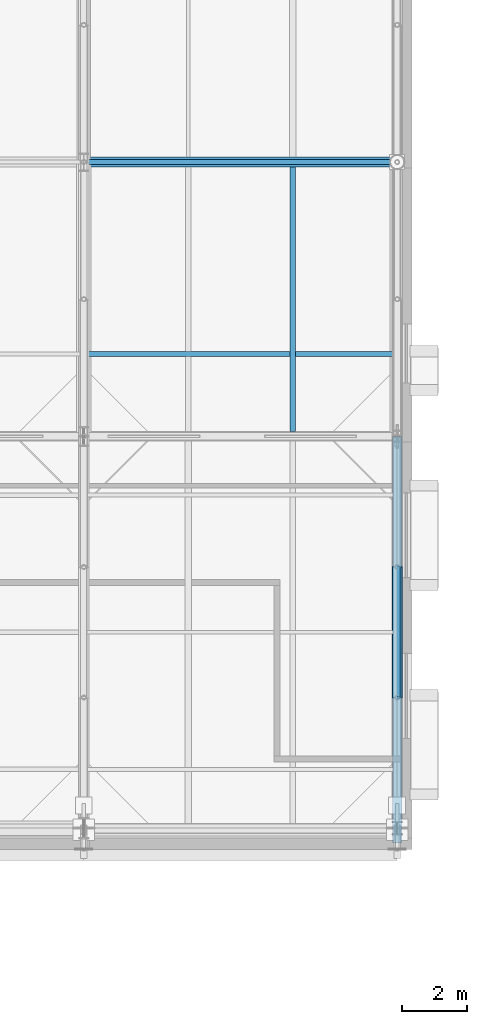
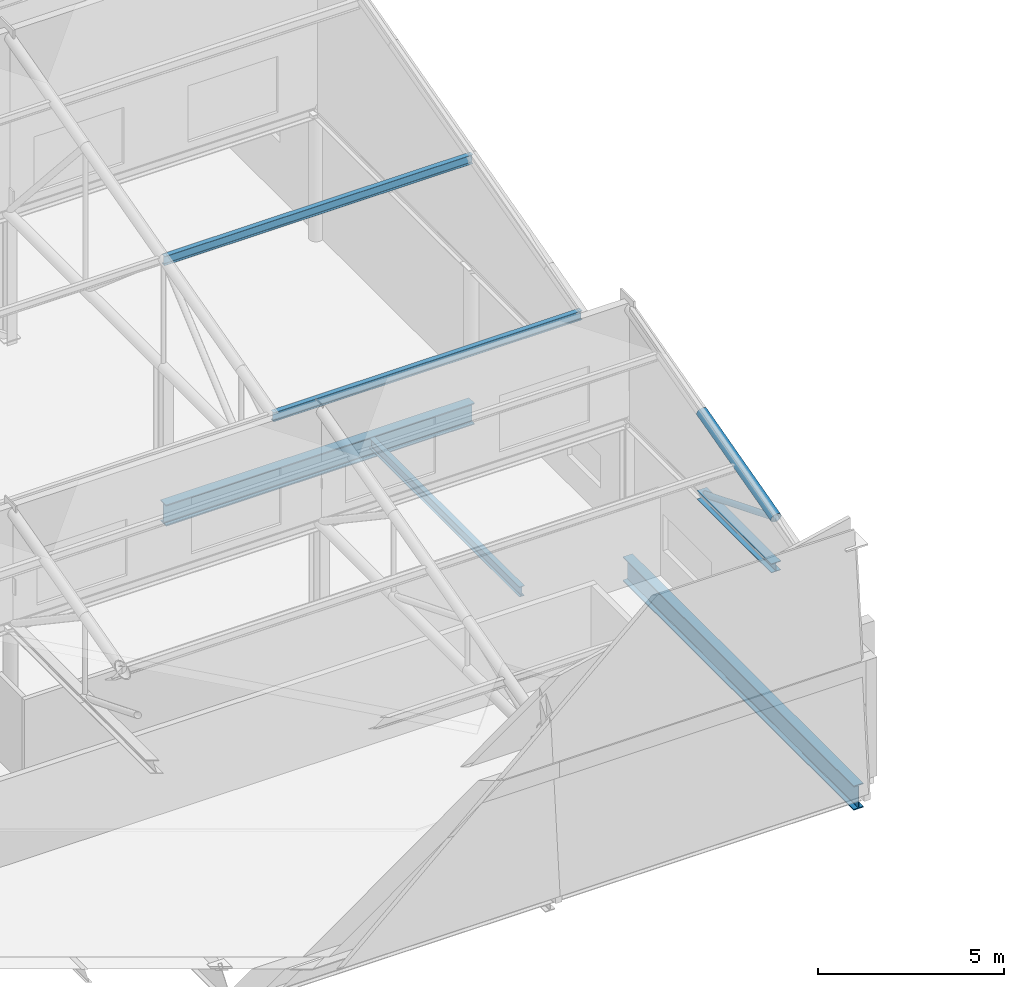
# One storey, part 49 of 89: 5 members, 3 beams.
"""IFC4 building model written with IfcOpenShell, lengths in metres."""

from ifc_helpers import new_model, si_unit, direction, frame, origin, origin_2d, place, context, subcontext, project, spatial, hollow_circle, i_section, extrude, material, material_profile, profile_set, type_object, element, save


model = new_model("IFC4")

# Units and contexts
model_context = context("Model", 3, precision=1e-05, world=origin(), true_north=direction((0.0, 1.0)))
body_context = subcontext(model_context, "Body", "Model", "MODEL_VIEW")
ifc_project = project(units=[si_unit("LENGTHUNIT", "METRE"), si_unit("AREAUNIT", "SQUARE_METRE"), si_unit("VOLUMEUNIT", "CUBIC_METRE"), si_unit("PLANEANGLEUNIT", "RADIAN"), si_unit("MASSUNIT", "GRAM", prefix="KILO")], contexts=[model_context])

# Site, building, storey
site_placement = place(None, origin())
site = spatial("IfcSite", under=ifc_project, at=site_placement, CompositionType="ELEMENT")
building_placement = place(site_placement, origin())
building = spatial("IfcBuilding", under=site, at=building_placement, Name="Zereglee Splitstone Museum", CompositionType="ELEMENT")
storey_placement = place(building_placement, frame((0.0, 0.0, 21.300048828125)))
storey = spatial("IfcBuildingStorey", under=building, at=storey_placement, Name="L04", CompositionType="ELEMENT", Elevation=21.300048828125)

# Members
ifc_material_1 = material(Name="Steel S355J2H", Category="steel")
ifc_material_profile_1 = material_profile(ifc_material_1, hollow_circle(Radius=0.096923828125, WallThickness=0.010009765625, at=origin_2d()), Name="CHS 193.7x10")
ifc_profile_set_1 = profile_set([ifc_material_profile_1], Name="Steel S355J2H")
member_type_1 = type_object("IfcMemberType", Name="TB-04", PredefinedType="BRACE", material=ifc_profile_set_1)
member_1_placement = place(storey_placement, frame((145.199951171875, 17.60009765625, 4.199951171875), z_axis=(0.0, -0.927136001435, 0.374725012299), x_axis=(1.0, 0.0, 0.0)))
element("IfcMember", 1, at=member_1_placement, inside=storey, type_object=member_type_1, Name="Roof Truss ST-08 Diagonal 1.2", PredefinedType="BRACE", context=body_context, shape_type="SweptSolid", body=[
    extrude(hollow_circle(Radius=0.096923828125, WallThickness=0.010009765625, at=origin_2d()), origin(), (0.0, 0.0, 1.0), 4.314453125),
])
ifc_material_profile_2 = material_profile(ifc_material_1, hollow_circle(Radius=0.161865234375, WallThickness=0.01611328125, at=origin_2d()), Name="CHS 323.9x16")
ifc_profile_set_2 = profile_set([ifc_material_profile_2], Name="Steel S355J2H")
member_type_2 = type_object("IfcMemberType", Name="TC-05", PredefinedType="CHORD", material=ifc_profile_set_2)
member_2_placement = place(storey_placement, frame((145.199951171875, 13.60009765625, 5.816650390625), z_axis=(0.0, 0.966235918422, 0.257658979955), x_axis=(-1.0, 0.0, 0.0)))
element("IfcMember", 2, at=member_2_placement, inside=storey, type_object=member_type_2, Name="Roof Truss ST-08 Top Chord 1.2", PredefinedType="CHORD", context=body_context, shape_type="SweptSolid", body=[
    extrude(hollow_circle(Radius=0.161865234375, WallThickness=0.01611328125, at=origin_2d()), origin(), (0.0, 0.0, 1.0), 4.139892578125),
])
ifc_material_2 = material(Name="Steel S355J2", Category="steel")
ifc_material_profile_3 = material_profile(ifc_material_2, i_section(OverallWidth=0.300048828125, OverallDepth=0.300048828125, WebThickness=0.010986328125, FlangeThickness=0.01904296875, FilletRadius=0.027099609375, at=origin_2d()), Name="HE 300 B")
ifc_profile_set_3 = profile_set([ifc_material_profile_3], Name="Steel S355J2")
member_type_3 = type_object("IfcMemberType", Name="TC-07", PredefinedType="CHORD", material=ifc_profile_set_3)
member_3_placement = place(storey_placement, frame((145.199951171875, 13.60009765625, 4.199951171875), z_axis=(0.0, 1.0, 0.0), x_axis=(-1.0, 0.0, 0.0)))
element("IfcMember", 3, at=member_3_placement, inside=storey, type_object=member_type_3, Name="Roof Truss ST-08 Bottom Chord 1.2", PredefinedType="CHORD", context=body_context, shape_type="SweptSolid", body=[
    extrude(i_section(OverallWidth=0.300048828125, OverallDepth=0.300048828125, WebThickness=0.010986328125, FlangeThickness=0.01904296875, FilletRadius=0.027099609375, at=origin_2d()), origin(), (0.0, 0.0, 1.0), 4.0),
])

# Beams
ifc_material_profile_4 = material_profile(ifc_material_2, i_section(OverallWidth=0.300048828125, OverallDepth=0.699951171875, WebThickness=0.01708984375, FlangeThickness=0.031982421875, FilletRadius=0.027099609375, at=origin_2d()), Name="HE 700 B")
ifc_profile_set_4 = profile_set([ifc_material_profile_4], Name="Steel S355J2")
beam_type_1 = type_object("IfcBeamType", Name="BG-08", PredefinedType="BEAM", material=ifc_profile_set_4)
beam_1_placement = place(storey_placement, frame((135.60009765625, 30.0, -0.610107421875), z_axis=(1.0, 0.0, 0.0), x_axis=(0.0, 1.0, 0.0)))
element("IfcBeam", 4, at=beam_1_placement, inside=storey, type_object=beam_type_1, Name="Primary Girder L04 D (135.6-145.2)", PredefinedType="BEAM", context=body_context, shape_type="SweptSolid", body=[
    extrude(i_section(OverallWidth=0.300048828125, OverallDepth=0.699951171875, WebThickness=0.01708984375, FlangeThickness=0.031982421875, FilletRadius=0.027099609375, at=origin_2d()), origin(), (0.0, 0.0, 1.0), 9.599853515625),
])
ifc_material_profile_5 = material_profile(ifc_material_2, i_section(OverallWidth=0.300048828125, OverallDepth=0.800048828125, WebThickness=0.017578125, FlangeThickness=0.032958984375, FilletRadius=0.030029296875, at=origin_2d()), Name="HE 800 B")
ifc_profile_set_5 = profile_set([ifc_material_profile_5], Name="Steel S355J2")
beam_type_2 = type_object("IfcBeamType", Name="BG-07", PredefinedType="BEAM", material=ifc_profile_set_5)
beam_2_placement = place(storey_placement, frame((145.199951171875, 9.14990234375, -0.66015625), z_axis=(0.0, 1.0, 0.0), x_axis=(-1.0, 0.0, 0.0)))
element("IfcBeam", 5, at=beam_2_placement, inside=storey, type_object=beam_type_2, Name="Primary Girder L04 17 (9.2-21.6)", PredefinedType="BEAM", context=body_context, shape_type="SweptSolid", body=[
    extrude(i_section(OverallWidth=0.300048828125, OverallDepth=0.800048828125, WebThickness=0.017578125, FlangeThickness=0.032958984375, FilletRadius=0.030029296875, at=origin_2d()), origin(), (0.0, 0.0, 1.0), 12.4501953125),
])
ifc_material_profile_6 = material_profile(ifc_material_2, i_section(OverallWidth=0.159912109375, OverallDepth=0.330078125, WebThickness=0.007568359375, FlangeThickness=0.011474609375, FilletRadius=0.01806640625, at=origin_2d()), Name="IPE 330")
ifc_profile_set_6 = profile_set([ifc_material_profile_6], Name="Steel S355J2")
beam_type_3 = type_object("IfcBeamType", Name="BJ-05", PredefinedType="JOIST", material=ifc_profile_set_6)
beam_3_placement = place(storey_placement, frame((142.0, 21.75, -0.425048828125), z_axis=(0.0, 1.0, 0.0), x_axis=(-1.0, 0.0, 0.0)))
element("IfcBeam", 6, at=beam_3_placement, inside=storey, type_object=beam_type_3, Name="Secondary Floor Joist L04-1537", PredefinedType="JOIST", context=body_context, shape_type="SweptSolid", body=[
    extrude(i_section(OverallWidth=0.159912109375, OverallDepth=0.330078125, WebThickness=0.007568359375, FlangeThickness=0.011474609375, FilletRadius=0.01806640625, at=origin_2d()), origin(), (0.0, 0.0, 1.0), 8.10009765625),
])

# Members
ifc_material_profile_7 = material_profile(ifc_material_2, i_section(OverallWidth=0.14990234375, OverallDepth=0.300048828125, WebThickness=0.007080078125, FlangeThickness=0.0107421875, FilletRadius=0.014892578125, at=origin_2d()), Name="IPE 300")
ifc_profile_set_7 = profile_set([ifc_material_profile_7], Name="Steel S355J2")
member_type_4 = type_object("IfcMemberType", Name="PR-01", PredefinedType="PURLIN", material=ifc_profile_set_7)
for number, where, z_axis, x_axis, name in (
    (7, (135.60009765625, 24.1201171875, 6.14794921875), (1.0, 0.0, 0.0), (0.0, 1.0, 0.0), "Sawtooth Roof Purlin B7-S2-1"),
    (8, (135.60009765625, 30.0, 7.722900390625), (1.0, 0.0, 0.0), (0.0, 1.0, 0.0), "Sawtooth Roof Purlin B7-S2-2"),
):
    element("IfcMember", number, at=place(storey_placement, frame(where, z_axis=z_axis, x_axis=x_axis)), inside=storey, type_object=member_type_4, Name=name, PredefinedType="PURLIN", context=body_context, shape_type="SweptSolid", body=[
        extrude(i_section(OverallWidth=0.14990234375, OverallDepth=0.300048828125, WebThickness=0.007080078125, FlangeThickness=0.0107421875, FilletRadius=0.014892578125, at=origin_2d()), origin(), (0.0, 0.0, 1.0), 9.599853515625),
    ])

save(model, "model.ifc")
